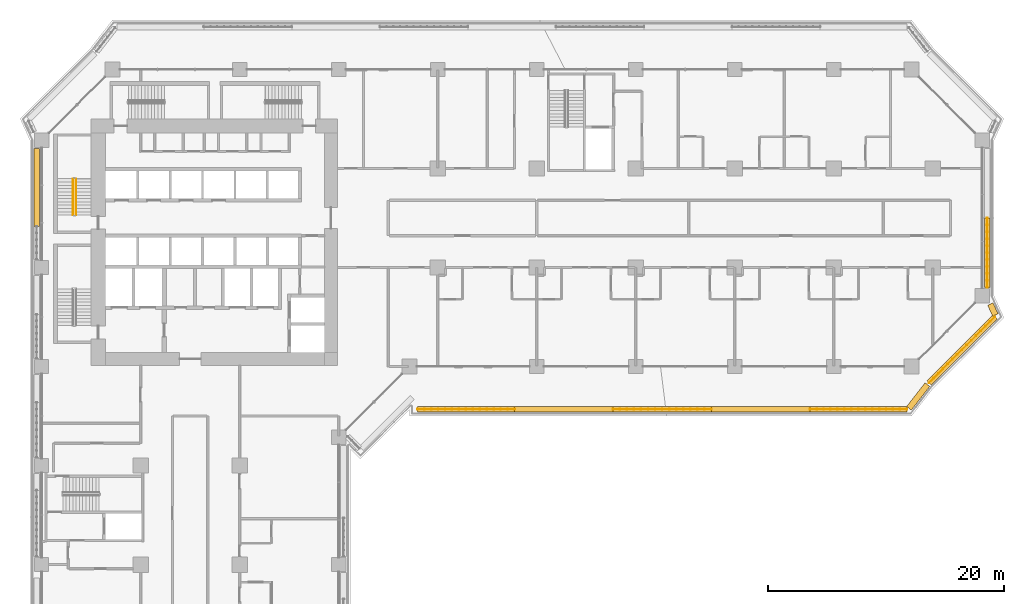
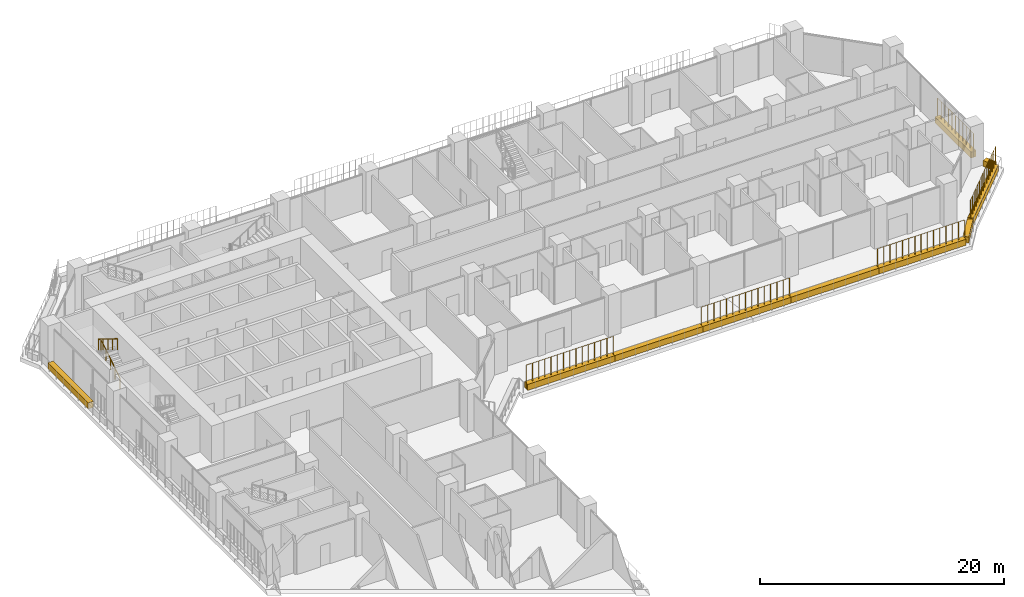
# One storey, part 25 of 28: 10 coverings, 7 railings.
"""IFC4 building model written with IfcOpenShell, lengths in metres."""

from ifc_helpers import new_model, si_unit, direction, frame, origin, origin_2d, place, context, subcontext, project, spatial, rectangle, circle, extrude, material, material_profile, profile_set, type_object, element, save


model = new_model("IFC4")

# Units and contexts
model_context = context("Model", 3, precision=1e-05, world=origin(), true_north=direction((0.0, 1.0)))
body_context = subcontext(model_context, "Body", "Model", "MODEL_VIEW")
ifc_project = project(units=[si_unit("LENGTHUNIT", "METRE"), si_unit("AREAUNIT", "SQUARE_METRE"), si_unit("VOLUMEUNIT", "CUBIC_METRE"), si_unit("PLANEANGLEUNIT", "RADIAN"), si_unit("MASSUNIT", "GRAM", prefix="KILO")], contexts=[model_context])

# Site, building, storey
site_placement = place(None, origin())
site = spatial("IfcSite", under=ifc_project, at=site_placement, CompositionType="ELEMENT")
building_placement = place(site_placement, origin())
building = spatial("IfcBuilding", under=site, at=building_placement, Name="Kawkab Arch Medical Tower", CompositionType="ELEMENT")
storey_placement = place(building_placement, frame((0.0, 0.0, 89.60009765625)))
storey = spatial("IfcBuildingStorey", under=building, at=storey_placement, Name="L20", CompositionType="ELEMENT", Elevation=89.60009765625)

# Coverings
ifc_material_1 = material(Name="Planting soil in a precast trough", Category="concrete")
ifc_material_profile = material_profile(ifc_material_1, rectangle(XDim=0.5, YDim=0.60009765625, at=origin_2d()), Name="Trough 500x600")
ifc_profile_set = profile_set([ifc_material_profile], Name="Planting soil in a precast trough")
covering_type = type_object("IfcCoveringType", Name="Planter trough 500 x 600", PredefinedType="USERDEFINED", material=ifc_profile_set)
covering_1_placement = place(storey_placement, frame((-0.419921875, -13.3310546875, 0.2998046875), z_axis=(0.0, 1.0, 0.0), x_axis=(-1.0, 0.0, 0.0)))
element("IfcCovering", 1, at=covering_1_placement, inside=storey, type_object=covering_type, Name="Planter L20.LOG-01-01.16", ObjectType="PLANTER", PredefinedType="USERDEFINED", context=body_context, shape_type="SweptSolid", body=[
    extrude(rectangle(XDim=0.5, YDim=0.60009765625, at=origin_2d()), origin(), (0.0, 0.0, 1.0), 6.6259765625),
])
covering_2_placement = place(storey_placement, frame((80.219970703125, -12.60009765625, 0.2998046875), z_axis=(0.0, -1.0, 0.0), x_axis=(1.0, 0.0, 0.0)))
element("IfcCovering", 2, at=covering_2_placement, inside=storey, type_object=covering_type, Name="Planter L20.LOG-01-01.33", ObjectType="PLANTER", PredefinedType="USERDEFINED", context=body_context, shape_type="SweptSolid", body=[
    extrude(rectangle(XDim=0.5, YDim=0.60009765625, at=origin_2d()), origin(), (0.0, 0.0, 1.0), 5.89501953125),
])
covering_3_placement = place(storey_placement, frame((80.48095703125, -19.89794921875, 0.2998046875), z_axis=(0.415071571878, -0.909788761317, 0.0), x_axis=(0.909788761317, 0.415071571878, 0.0)))
element("IfcCovering", 3, at=covering_3_placement, inside=storey, type_object=covering_type, Name="Planter L20.LOG-01-01.34", ObjectType="PLANTER", PredefinedType="USERDEFINED", context=body_context, shape_type="SweptSolid", body=[
    extrude(rectangle(XDim=0.5, YDim=0.60009765625, at=origin_2d()), origin(), (0.0, 0.0, 1.0), 1.0146484375),
])
covering_4_placement = place(storey_placement, frame((80.873046875, -20.98291015625, 0.2998046875), z_axis=(-0.707106781187, -0.707106781187, 0.0), x_axis=(0.707106781187, -0.707106781187, 0.0)))
element("IfcCovering", 4, at=covering_4_placement, inside=storey, type_object=covering_type, Name="Planter L20.LOG-01-01.35", ObjectType="PLANTER", PredefinedType="USERDEFINED", context=body_context, shape_type="SweptSolid", body=[
    extrude(rectangle(XDim=0.5, YDim=0.60009765625, at=origin_2d()), origin(), (0.0, 0.0, 1.0), 7.919677734375),
])
covering_5_placement = place(storey_placement, frame((75.14111328125, -26.73193359375, 0.2998046875), z_axis=(-0.614099956103, -0.789228258436, 0.0), x_axis=(0.789228258436, -0.614099956103, 0.0)))
element("IfcCovering", 5, at=covering_5_placement, inside=storey, type_object=covering_type, Name="Planter L20.LOG-01-01.36", ObjectType="PLANTER", PredefinedType="USERDEFINED", context=body_context, shape_type="SweptSolid", body=[
    extrude(rectangle(XDim=0.5, YDim=0.60009765625, at=origin_2d()), origin(), (0.0, 0.0, 1.0), 2.545654296875),
])
covering_6_placement = place(storey_placement, frame((73.416015625, -28.820068359375, 0.2998046875), z_axis=(-1.0, 0.0, 0.0), x_axis=(0.0, -1.0, 0.0)))
element("IfcCovering", 6, at=covering_6_placement, inside=storey, type_object=covering_type, Name="Planter L20.LOG-01-01.37", ObjectType="PLANTER", PredefinedType="USERDEFINED", context=body_context, shape_type="SweptSolid", body=[
    extrude(rectangle(XDim=0.5, YDim=0.60009765625, at=origin_2d()), origin(), (0.0, 0.0, 1.0), 8.2470703125),
])
for number, where, z_axis, x_axis, name in (
    (7, (65.1689453125, -28.820068359375, 0.2998046875), (-1.0, 0.0, 0.0), (0.0, -1.0, 0.0), "Planter L20.LOG-01-01.38"),
    (8, (56.822021484375, -28.820068359375, 0.2998046875), (-1.0, 0.0, 0.0), (0.0, -1.0, 0.0), "Planter L20.LOG-01-01.39"),
):
    element("IfcCovering", number, at=place(storey_placement, frame(where, z_axis=z_axis, x_axis=x_axis)), inside=storey, type_object=covering_type, Name=name, ObjectType="PLANTER", PredefinedType="USERDEFINED", context=body_context, shape_type="SweptSolid", body=[
        extrude(rectangle(XDim=0.5, YDim=0.60009765625, at=origin_2d()), origin(), (0.0, 0.0, 1.0), 8.346923828125),
    ])
covering_7_placement = place(storey_placement, frame((48.47509765625, -28.820068359375, 0.2998046875), z_axis=(-1.0, 0.0, 0.0), x_axis=(0.0, -1.0, 0.0)))
element("IfcCovering", 9, at=covering_7_placement, inside=storey, type_object=covering_type, Name="Planter L20.LOG-01-01.40", ObjectType="PLANTER", PredefinedType="USERDEFINED", context=body_context, shape_type="SweptSolid", body=[
    extrude(rectangle(XDim=0.5, YDim=0.60009765625, at=origin_2d()), origin(), (0.0, 0.0, 1.0), 8.34814453125),
])
covering_8_placement = place(storey_placement, frame((40.126953125, -28.820068359375, 0.2998046875), z_axis=(-1.0, 0.0, 0.0), x_axis=(0.0, -1.0, 0.0)))
element("IfcCovering", 10, at=covering_8_placement, inside=storey, type_object=covering_type, Name="Planter L20.LOG-01-01.41", ObjectType="PLANTER", PredefinedType="USERDEFINED", context=body_context, shape_type="SweptSolid", body=[
    extrude(rectangle(XDim=0.5, YDim=0.60009765625, at=origin_2d()), origin(), (0.0, 0.0, 1.0), 8.2470703125),
])

# Railings
ifc_material_2 = material(Name="Bronze anodised aluminium trellis for climbing plants", Category="aluminium")
railing_type_1 = type_object("IfcRailingType", Name="Planting trellis 2400", PredefinedType="USERDEFINED", material=ifc_material_2)
railing_1_placement = place(storey_placement, frame((80.219970703125, -12.60009765625, 0.0)))
element("IfcRailing", 11, at=railing_1_placement, inside=storey, type_object=railing_type_1, Name="Planting trellis L20.LOG-01-01.33", ObjectType="TRELLIS", PredefinedType="USERDEFINED", context=body_context, shape_type="SweptSolid", body=[
    extrude(circle(Radius=0.01513671875, at=origin_2d()), frame((0.0, 0.0, 2.384765625), z_axis=(0.0, -1.0, 0.0), x_axis=(1.0, 0.0, 0.0)), (0.0, 0.0, 1.0), 5.89501953125),
    extrude(circle(Radius=0.030029296875, at=origin_2d()), origin(), (0.0, 0.0, 1.0), 2.369873046875),
    extrude(circle(Radius=0.030029296875, at=origin_2d()), frame((0.0, -0.589599609375, 0.0)), (0.0, 0.0, 1.0), 2.369873046875),
    extrude(circle(Radius=0.030029296875, at=origin_2d()), frame((0.0, -1.178955078125, 0.0)), (0.0, 0.0, 1.0), 2.369873046875),
    extrude(circle(Radius=0.030029296875, at=origin_2d()), frame((0.0, -1.7685546875, 0.0)), (0.0, 0.0, 1.0), 2.369873046875),
    extrude(circle(Radius=0.030029296875, at=origin_2d()), frame((0.0, -2.35791015625, 0.0)), (0.0, 0.0, 1.0), 2.369873046875),
    extrude(circle(Radius=0.030029296875, at=origin_2d()), frame((0.0, -2.947509765625, 0.0)), (0.0, 0.0, 1.0), 2.369873046875),
    extrude(circle(Radius=0.030029296875, at=origin_2d()), frame((0.0, -3.537109375, 0.0)), (0.0, 0.0, 1.0), 2.369873046875),
    extrude(circle(Radius=0.030029296875, at=origin_2d()), frame((0.0, -4.12646484375, 0.0)), (0.0, 0.0, 1.0), 2.369873046875),
    extrude(circle(Radius=0.030029296875, at=origin_2d()), frame((0.0, -4.716064453125, 0.0)), (0.0, 0.0, 1.0), 2.369873046875),
    extrude(circle(Radius=0.030029296875, at=origin_2d()), frame((0.0, -5.305419921875, 0.0)), (0.0, 0.0, 1.0), 2.369873046875),
    extrude(circle(Radius=0.030029296875, at=origin_2d()), frame((0.0, -5.89501953125, 0.0)), (0.0, 0.0, 1.0), 2.369873046875),
])
railing_2_placement = place(storey_placement, frame((80.873046875, -20.98291015625, 0.0)))
element("IfcRailing", 12, at=railing_2_placement, inside=storey, type_object=railing_type_1, Name="Planting trellis L20.LOG-01-01.35", ObjectType="TRELLIS", PredefinedType="USERDEFINED", context=body_context, shape_type="SweptSolid", body=[
    extrude(circle(Radius=0.01513671875, at=origin_2d()), frame((0.0, 0.0, 2.384765625), z_axis=(-0.707106781187, -0.707106781187, 0.0), x_axis=(0.707106781187, -0.707106781187, 0.0)), (0.0, 0.0, 1.0), 7.919677734375),
    extrude(circle(Radius=0.030029296875, at=origin_2d()), origin(), (0.0, 0.0, 1.0), 2.369873046875),
    extrude(circle(Radius=0.030029296875, at=origin_2d()), frame((-0.39990234375, -0.39990234375, 0.0)), (0.0, 0.0, 1.0), 2.369873046875),
    extrude(circle(Radius=0.030029296875, at=origin_2d()), frame((-0.800048828125, -0.800048828125, 0.0)), (0.0, 0.0, 1.0), 2.369873046875),
    extrude(circle(Radius=0.030029296875, at=origin_2d()), frame((-1.199951171875, -1.199951171875, 0.0)), (0.0, 0.0, 1.0), 2.369873046875),
    extrude(circle(Radius=0.030029296875, at=origin_2d()), frame((-1.60009765625, -1.60009765625, 0.0)), (0.0, 0.0, 1.0), 2.369873046875),
    extrude(circle(Radius=0.030029296875, at=origin_2d()), frame((-2.0, -2.0, 0.0)), (0.0, 0.0, 1.0), 2.369873046875),
    extrude(circle(Radius=0.030029296875, at=origin_2d()), frame((-2.400146484375, -2.400146484375, 0.0)), (0.0, 0.0, 1.0), 2.369873046875),
    extrude(circle(Radius=0.030029296875, at=origin_2d()), frame((-2.800048828125, -2.800048828125, 0.0)), (0.0, 0.0, 1.0), 2.369873046875),
    extrude(circle(Radius=0.030029296875, at=origin_2d()), frame((-3.199951171875, -3.199951171875, 0.0)), (0.0, 0.0, 1.0), 2.369873046875),
    extrude(circle(Radius=0.030029296875, at=origin_2d()), frame((-3.60009765625, -3.60009765625, 0.0)), (0.0, 0.0, 1.0), 2.369873046875),
    extrude(circle(Radius=0.030029296875, at=origin_2d()), frame((-4.0, -4.0, 0.0)), (0.0, 0.0, 1.0), 2.369873046875),
    extrude(circle(Radius=0.030029296875, at=origin_2d()), frame((-4.400146484375, -4.400146484375, 0.0)), (0.0, 0.0, 1.0), 2.369873046875),
    extrude(circle(Radius=0.030029296875, at=origin_2d()), frame((-4.800048828125, -4.800048828125, 0.0)), (0.0, 0.0, 1.0), 2.369873046875),
    extrude(circle(Radius=0.030029296875, at=origin_2d()), frame((-5.2001953125, -5.2001953125, 0.0)), (0.0, 0.0, 1.0), 2.369873046875),
    extrude(circle(Radius=0.030029296875, at=origin_2d()), frame((-5.60009765625, -5.60009765625, 0.0)), (0.0, 0.0, 1.0), 2.369873046875),
])
railing_3_placement = place(storey_placement, frame((73.416015625, -28.820068359375, 0.0)))
element("IfcRailing", 13, at=railing_3_placement, inside=storey, type_object=railing_type_1, Name="Planting trellis L20.LOG-01-01.37", ObjectType="TRELLIS", PredefinedType="USERDEFINED", context=body_context, shape_type="SweptSolid", body=[
    extrude(circle(Radius=0.01513671875, at=origin_2d()), frame((0.0, 0.0, 2.384765625), z_axis=(-1.0, 0.0, 0.0), x_axis=(0.0, -1.0, 0.0)), (0.0, 0.0, 1.0), 8.2470703125),
    extrude(circle(Radius=0.030029296875, at=origin_2d()), origin(), (0.0, 0.0, 1.0), 2.369873046875),
    extrude(circle(Radius=0.030029296875, at=origin_2d()), frame((-0.589111328125, 0.0, 0.0)), (0.0, 0.0, 1.0), 2.369873046875),
    extrude(circle(Radius=0.030029296875, at=origin_2d()), frame((-1.17822265625, 0.0, 0.0)), (0.0, 0.0, 1.0), 2.369873046875),
    extrude(circle(Radius=0.030029296875, at=origin_2d()), frame((-1.767333984375, 0.0, 0.0)), (0.0, 0.0, 1.0), 2.369873046875),
    extrude(circle(Radius=0.030029296875, at=origin_2d()), frame((-2.356201171875, 0.0, 0.0)), (0.0, 0.0, 1.0), 2.369873046875),
    extrude(circle(Radius=0.030029296875, at=origin_2d()), frame((-2.9453125, 0.0, 0.0)), (0.0, 0.0, 1.0), 2.369873046875),
    extrude(circle(Radius=0.030029296875, at=origin_2d()), frame((-3.534423828125, 0.0, 0.0)), (0.0, 0.0, 1.0), 2.369873046875),
    extrude(circle(Radius=0.030029296875, at=origin_2d()), frame((-4.12353515625, 0.0, 0.0)), (0.0, 0.0, 1.0), 2.369873046875),
    extrude(circle(Radius=0.030029296875, at=origin_2d()), frame((-4.712646484375, 0.0, 0.0)), (0.0, 0.0, 1.0), 2.369873046875),
    extrude(circle(Radius=0.030029296875, at=origin_2d()), frame((-5.3017578125, 0.0, 0.0)), (0.0, 0.0, 1.0), 2.369873046875),
    extrude(circle(Radius=0.030029296875, at=origin_2d()), frame((-5.890869140625, 0.0, 0.0)), (0.0, 0.0, 1.0), 2.369873046875),
    extrude(circle(Radius=0.030029296875, at=origin_2d()), frame((-6.479736328125, 0.0, 0.0)), (0.0, 0.0, 1.0), 2.369873046875),
    extrude(circle(Radius=0.030029296875, at=origin_2d()), frame((-7.06884765625, 0.0, 0.0)), (0.0, 0.0, 1.0), 2.369873046875),
    extrude(circle(Radius=0.030029296875, at=origin_2d()), frame((-7.657958984375, 0.0, 0.0)), (0.0, 0.0, 1.0), 2.369873046875),
    extrude(circle(Radius=0.030029296875, at=origin_2d()), frame((-8.2470703125, 0.0, 0.0)), (0.0, 0.0, 1.0), 2.369873046875),
])
railing_4_placement = place(storey_placement, frame((56.822021484375, -28.820068359375, 0.0)))
element("IfcRailing", 14, at=railing_4_placement, inside=storey, type_object=railing_type_1, Name="Planting trellis L20.LOG-01-01.39", ObjectType="TRELLIS", PredefinedType="USERDEFINED", context=body_context, shape_type="SweptSolid", body=[
    extrude(circle(Radius=0.01513671875, at=origin_2d()), frame((0.0, 0.0, 2.384765625), z_axis=(-1.0, 0.0, 0.0), x_axis=(0.0, -1.0, 0.0)), (0.0, 0.0, 1.0), 8.346923828125),
    extrude(circle(Radius=0.030029296875, at=origin_2d()), origin(), (0.0, 0.0, 1.0), 2.369873046875),
    extrude(circle(Radius=0.030029296875, at=origin_2d()), frame((-0.59619140625, 0.0, 0.0)), (0.0, 0.0, 1.0), 2.369873046875),
    extrude(circle(Radius=0.030029296875, at=origin_2d()), frame((-1.1923828125, 0.0, 0.0)), (0.0, 0.0, 1.0), 2.369873046875),
    extrude(circle(Radius=0.030029296875, at=origin_2d()), frame((-1.78857421875, 0.0, 0.0)), (0.0, 0.0, 1.0), 2.369873046875),
    extrude(circle(Radius=0.030029296875, at=origin_2d()), frame((-2.384765625, 0.0, 0.0)), (0.0, 0.0, 1.0), 2.369873046875),
    extrude(circle(Radius=0.030029296875, at=origin_2d()), frame((-2.98095703125, 0.0, 0.0)), (0.0, 0.0, 1.0), 2.369873046875),
    extrude(circle(Radius=0.030029296875, at=origin_2d()), frame((-3.5771484375, 0.0, 0.0)), (0.0, 0.0, 1.0), 2.369873046875),
    extrude(circle(Radius=0.030029296875, at=origin_2d()), frame((-4.17333984375, 0.0, 0.0)), (0.0, 0.0, 1.0), 2.369873046875),
    extrude(circle(Radius=0.030029296875, at=origin_2d()), frame((-4.769775390625, 0.0, 0.0)), (0.0, 0.0, 1.0), 2.369873046875),
    extrude(circle(Radius=0.030029296875, at=origin_2d()), frame((-5.365966796875, 0.0, 0.0)), (0.0, 0.0, 1.0), 2.369873046875),
    extrude(circle(Radius=0.030029296875, at=origin_2d()), frame((-5.962158203125, 0.0, 0.0)), (0.0, 0.0, 1.0), 2.369873046875),
    extrude(circle(Radius=0.030029296875, at=origin_2d()), frame((-6.558349609375, 0.0, 0.0)), (0.0, 0.0, 1.0), 2.369873046875),
    extrude(circle(Radius=0.030029296875, at=origin_2d()), frame((-7.154541015625, 0.0, 0.0)), (0.0, 0.0, 1.0), 2.369873046875),
    extrude(circle(Radius=0.030029296875, at=origin_2d()), frame((-7.750732421875, 0.0, 0.0)), (0.0, 0.0, 1.0), 2.369873046875),
    extrude(circle(Radius=0.030029296875, at=origin_2d()), frame((-8.346923828125, 0.0, 0.0)), (0.0, 0.0, 1.0), 2.369873046875),
])
railing_5_placement = place(storey_placement, frame((40.126953125, -28.820068359375, 0.0)))
element("IfcRailing", 15, at=railing_5_placement, inside=storey, type_object=railing_type_1, Name="Planting trellis L20.LOG-01-01.41", ObjectType="TRELLIS", PredefinedType="USERDEFINED", context=body_context, shape_type="SweptSolid", body=[
    extrude(circle(Radius=0.01513671875, at=origin_2d()), frame((0.0, 0.0, 2.384765625), z_axis=(-1.0, 0.0, 0.0), x_axis=(0.0, -1.0, 0.0)), (0.0, 0.0, 1.0), 8.2470703125),
    extrude(circle(Radius=0.030029296875, at=origin_2d()), origin(), (0.0, 0.0, 1.0), 2.369873046875),
    extrude(circle(Radius=0.030029296875, at=origin_2d()), frame((-0.589111328125, 0.0, 0.0)), (0.0, 0.0, 1.0), 2.369873046875),
    extrude(circle(Radius=0.030029296875, at=origin_2d()), frame((-1.17822265625, 0.0, 0.0)), (0.0, 0.0, 1.0), 2.369873046875),
    extrude(circle(Radius=0.030029296875, at=origin_2d()), frame((-1.767333984375, 0.0, 0.0)), (0.0, 0.0, 1.0), 2.369873046875),
    extrude(circle(Radius=0.030029296875, at=origin_2d()), frame((-2.356201171875, 0.0, 0.0)), (0.0, 0.0, 1.0), 2.369873046875),
    extrude(circle(Radius=0.030029296875, at=origin_2d()), frame((-2.9453125, 0.0, 0.0)), (0.0, 0.0, 1.0), 2.369873046875),
    extrude(circle(Radius=0.030029296875, at=origin_2d()), frame((-3.534423828125, 0.0, 0.0)), (0.0, 0.0, 1.0), 2.369873046875),
    extrude(circle(Radius=0.030029296875, at=origin_2d()), frame((-4.12353515625, 0.0, 0.0)), (0.0, 0.0, 1.0), 2.369873046875),
    extrude(circle(Radius=0.030029296875, at=origin_2d()), frame((-4.712646484375, 0.0, 0.0)), (0.0, 0.0, 1.0), 2.369873046875),
    extrude(circle(Radius=0.030029296875, at=origin_2d()), frame((-5.3017578125, 0.0, 0.0)), (0.0, 0.0, 1.0), 2.369873046875),
    extrude(circle(Radius=0.030029296875, at=origin_2d()), frame((-5.890869140625, 0.0, 0.0)), (0.0, 0.0, 1.0), 2.369873046875),
    extrude(circle(Radius=0.030029296875, at=origin_2d()), frame((-6.479736328125, 0.0, 0.0)), (0.0, 0.0, 1.0), 2.369873046875),
    extrude(circle(Radius=0.030029296875, at=origin_2d()), frame((-7.06884765625, 0.0, 0.0)), (0.0, 0.0, 1.0), 2.369873046875),
    extrude(circle(Radius=0.030029296875, at=origin_2d()), frame((-7.657958984375, 0.0, 0.0)), (0.0, 0.0, 1.0), 2.369873046875),
    extrude(circle(Radius=0.030029296875, at=origin_2d()), frame((-8.2470703125, 0.0, 0.0)), (0.0, 0.0, 1.0), 2.369873046875),
])
ifc_material_3 = material(Name="Stainless steel", Category="steel")
railing_type_2 = type_object("IfcRailingType", Name="Stair guard 1100", PredefinedType="GUARDRAIL", material=ifc_material_3)
railing_6_placement = place(storey_placement, frame((2.89990234375, -12.35009765625, 0.1748046875)))
element("IfcRailing", 16, at=railing_6_placement, inside=storey, type_object=railing_type_2, Name="L20 ST1 stair guard 1", PredefinedType="GUARDRAIL", context=body_context, shape_type="SweptSolid", body=[
    extrude(circle(Radius=0.02392578125, at=origin_2d()), frame((0.0, 0.0, 1.076171875), z_axis=(0.0, 0.847998304005, 0.529998940003), x_axis=(-1.0, 0.0, 0.0)), (0.0, 0.0, 1.0), 3.632080078125),
    extrude(circle(Radius=0.02099609375, at=origin_2d()), origin(), (0.0, 0.0, 1.0), 1.052001953125),
    extrude(circle(Radius=0.02099609375, at=origin_2d()), frame((0.0, 0.77001953125, 0.481201171875)), (0.0, 0.0, 1.0), 1.052001953125),
    extrude(circle(Radius=0.02099609375, at=origin_2d()), frame((0.0, 1.5400390625, 0.96240234375)), (0.0, 0.0, 1.0), 1.052001953125),
    extrude(circle(Radius=0.02099609375, at=origin_2d()), frame((0.0, 2.31005859375, 1.44384765625)), (0.0, 0.0, 1.0), 1.052001953125),
    extrude(circle(Radius=0.02099609375, at=origin_2d()), frame((0.0, 3.080078125, 1.925048828125)), (0.0, 0.0, 1.0), 1.052001953125),
])
railing_7_placement = place(storey_placement, frame((2.64990234375, -9.27001953125, 2.27490234375)))
element("IfcRailing", 17, at=railing_7_placement, inside=storey, type_object=railing_type_2, Name="L20 ST1 stair guard 3", PredefinedType="GUARDRAIL", context=body_context, shape_type="SweptSolid", body=[
    extrude(circle(Radius=0.02392578125, at=origin_2d()), frame((0.0, 0.0, 1.076171875), z_axis=(0.0, -0.847998304005, 0.529998940003), x_axis=(1.0, 0.0, 0.0)), (0.0, 0.0, 1.0), 3.632080078125),
    extrude(circle(Radius=0.02099609375, at=origin_2d()), origin(), (0.0, 0.0, 1.0), 1.052001953125),
    extrude(circle(Radius=0.02099609375, at=origin_2d()), frame((0.0, -0.77001953125, 0.481201171875)), (0.0, 0.0, 1.0), 1.052001953125),
    extrude(circle(Radius=0.02099609375, at=origin_2d()), frame((0.0, -1.5400390625, 0.96240234375)), (0.0, 0.0, 1.0), 1.052001953125),
    extrude(circle(Radius=0.02099609375, at=origin_2d()), frame((0.0, -2.31005859375, 1.44384765625)), (0.0, 0.0, 1.0), 1.052001953125),
    extrude(circle(Radius=0.02099609375, at=origin_2d()), frame((0.0, -3.080078125, 1.925048828125)), (0.0, 0.0, 1.0), 1.052001953125),
])

save(model, "model.ifc")
